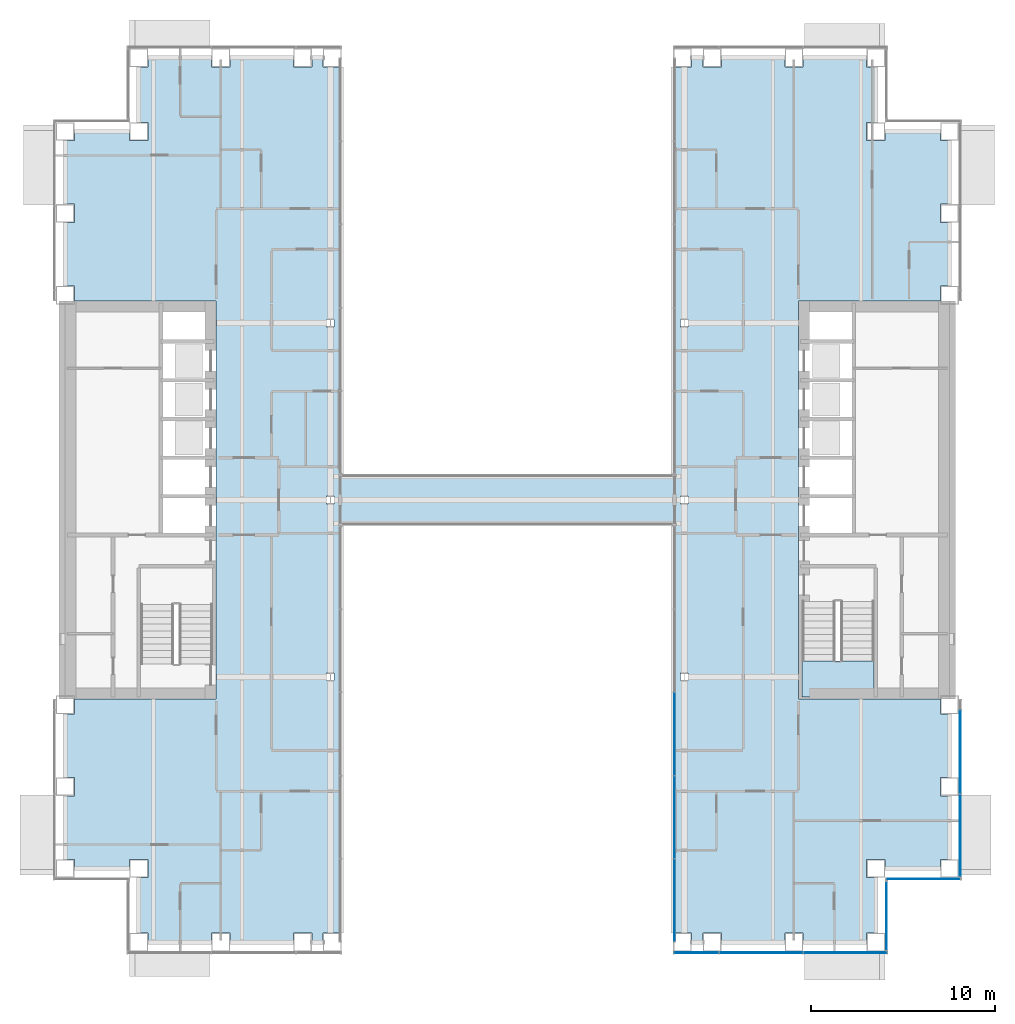
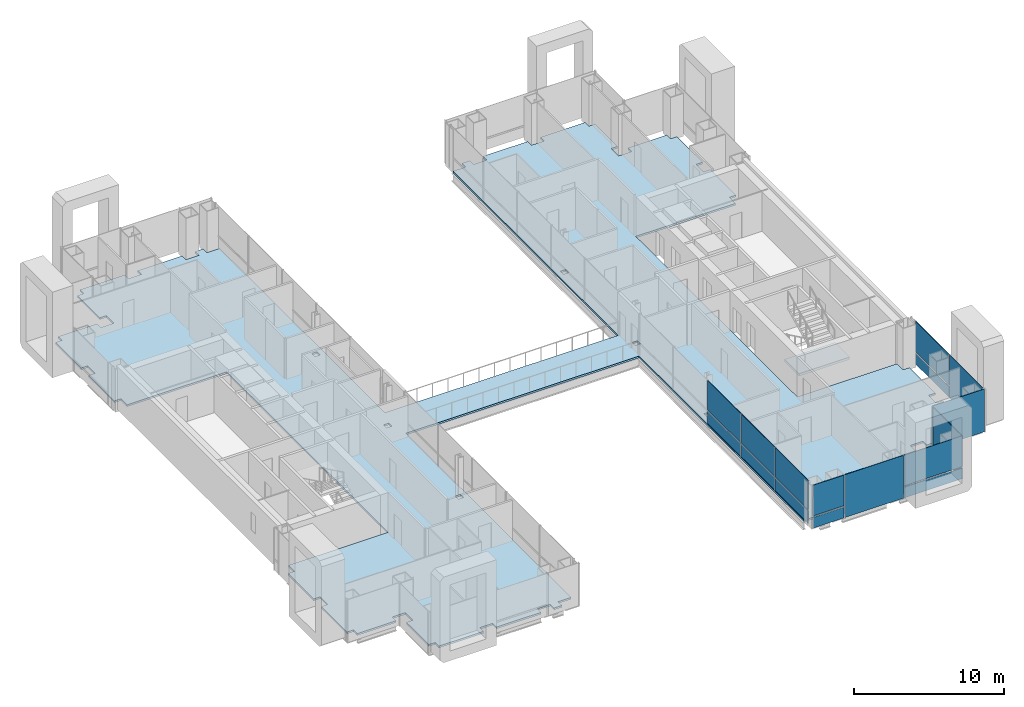
# One storey, part 10 of 21: 16 plates, 2 slabs, 6 elements without a shape of their own.
"""IFC4 building model written with IfcOpenShell, lengths in metres."""

from ifc_helpers import new_model, si_unit, direction, frame, origin, origin_2d, place, context, subcontext, project, spatial, polyline, rectangle, outline, extrude, material, layer, layer_set, type_object, element, aggregate, save


model = new_model("IFC4")

# Units and contexts
model_context = context("Model", 3, precision=1e-05, world=origin(), true_north=direction((0.0, 1.0)))
body_context = subcontext(model_context, "Body", "Model", "MODEL_VIEW")
ifc_project = project(units=[si_unit("LENGTHUNIT", "METRE"), si_unit("AREAUNIT", "SQUARE_METRE"), si_unit("VOLUMEUNIT", "CUBIC_METRE"), si_unit("PLANEANGLEUNIT", "RADIAN"), si_unit("MASSUNIT", "GRAM", prefix="KILO")], contexts=[model_context])

# Site, building, storey
site_placement = place(None, origin())
site = spatial("IfcSite", under=ifc_project, at=site_placement, CompositionType="ELEMENT")
building_placement = place(site_placement, origin())
building = spatial("IfcBuilding", under=site, at=building_placement, Name="Cobrizo Arcos Hotel Tower", CompositionType="ELEMENT")
storey_placement = place(building_placement, frame((0.0, 0.0, 74.0)))
storey = spatial("IfcBuildingStorey", under=building, at=storey_placement, Name="L17", CompositionType="ELEMENT", Elevation=74.0)

# Curtain wall, plates
ifc_material_1 = material(Name="Aluminium 6063-T6 anodised bronze", Category="aluminium")
curtain_wall_type_1 = type_object("IfcCurtainWallType", Name="CW-A guest facade", PredefinedType="NOTDEFINED", material=ifc_material_1)
curtain_wall_1_placement = place(storey_placement, origin())
curtain_wall_1 = element("IfcCurtainWall", 1, at=curtain_wall_1_placement, inside=storey, type_object=curtain_wall_type_1, Name="CW-A L17 S face", PredefinedType="NOTDEFINED")
ifc_material_2 = material(Name="Glass clear laminated low-e", Category="glass")
ifc_layer_1 = layer(ifc_material_2, 0.0400390625)
ifc_layer_set_1 = layer_set([ifc_layer_1], Name="CW-A glass panel")
plate_type_1 = type_object("IfcPlateType", Name="CW-A glass panel", PredefinedType="CURTAIN_PANEL", material=ifc_layer_set_1)
plate_1_placement = place(storey_placement, frame((10.251220703125, -24.574951171875, 0.990234375), z_axis=(0.0, 0.0, 1.0), x_axis=(1.0, 0.0, 0.0)))
plate_1 = element("IfcPlate", 2, at=plate_1_placement, type_object=plate_type_1, Name="CW-A glass panel 720", PredefinedType="CURTAIN_PANEL", context=body_context, shape_type="SweptSolid", body=[
    extrude(rectangle(XDim=2.38232421875, YDim=0.0400390625, at=origin_2d()), origin(), (0.0, 0.0, 1.0), 2.510009765625),
])
plate_2_placement = place(storey_placement, frame((18.340576171875, -24.574951171875, 0.990234375), z_axis=(0.0, 0.0, 1.0), x_axis=(1.0, 0.0, 0.0)))
plate_2 = element("IfcPlate", 3, at=plate_2_placement, type_object=plate_type_1, Name="CW-A glass panel 722", PredefinedType="CURTAIN_PANEL", context=body_context, shape_type="SweptSolid", body=[
    extrude(rectangle(XDim=4.498779296875, YDim=0.0400390625, at=origin_2d()), origin(), (0.0, 0.0, 1.0), 2.510009765625),
])

# Curtain wall, plate
curtain_wall_2_placement = place(storey_placement, origin())
curtain_wall_2 = element("IfcCurtainWall", 4, at=curtain_wall_2_placement, inside=storey, type_object=curtain_wall_type_1, Name="CW-A L17 E face", PredefinedType="NOTDEFINED")
plate_3_placement = place(storey_placement, frame((24.574951171875, -13.666748046875, 0.990234375), z_axis=(0.0, 0.0, 1.0), x_axis=(0.0, 1.0, 0.0)))
plate_3 = element("IfcPlate", 5, at=plate_3_placement, type_object=plate_type_1, Name="CW-A glass panel 726", PredefinedType="CURTAIN_PANEL", context=body_context, shape_type="SweptSolid", body=[
    extrude(rectangle(XDim=4.49560546875, YDim=0.0400390625, at=origin_2d()), origin(), (0.0, 0.0, 1.0), 2.510009765625),
])

# Plate
ifc_material_3 = material(Name="Aluminium composite panel pale metal", Category="aluminium")
ifc_layer_2 = layer(ifc_material_3, 0.0400390625)
ifc_layer_set_2 = layer_set([ifc_layer_2], Name="CW-A spandrel panel")
plate_type_2 = type_object("IfcPlateType", Name="CW-A spandrel panel", PredefinedType="CURTAIN_PANEL", material=ifc_layer_set_2)
plate_4_placement = place(storey_placement, frame((10.251220703125, -24.574951171875, 0.0), z_axis=(0.0, 0.0, 1.0), x_axis=(1.0, 0.0, 0.0)))
plate_4 = element("IfcPlate", 6, at=plate_4_placement, type_object=plate_type_2, Name="CW-A spandrel panel 720", PredefinedType="CURTAIN_PANEL", context=body_context, shape_type="SweptSolid", body=[
    extrude(rectangle(XDim=2.38232421875, YDim=0.0400390625, at=origin_2d()), origin(), (0.0, 0.0, 1.0), 0.8701171875),
])

plate_5_placement = place(storey_placement, frame((13.7666015625, -24.574951171875, 0.0), z_axis=(0.0, 0.0, 1.0), x_axis=(1.0, 0.0, 0.0)))
plate_5 = element("IfcPlate", 7, at=plate_5_placement, type_object=plate_type_2, Name="CW-A spandrel panel 721", PredefinedType="CURTAIN_PANEL", context=body_context, shape_type="SweptSolid", body=[
    extrude(rectangle(XDim=4.52880859375, YDim=0.0400390625, at=origin_2d()), origin(), (0.0, 0.0, 1.0), 3.5),
])

plate_6_placement = place(storey_placement, frame((18.340576171875, -24.574951171875, 0.0), z_axis=(0.0, 0.0, 1.0), x_axis=(1.0, 0.0, 0.0)))
plate_6 = element("IfcPlate", 8, at=plate_6_placement, type_object=plate_type_2, Name="CW-A spandrel panel 722", PredefinedType="CURTAIN_PANEL", context=body_context, shape_type="SweptSolid", body=[
    extrude(rectangle(XDim=4.498779296875, YDim=0.0400390625, at=origin_2d()), origin(), (0.0, 0.0, 1.0), 0.8701171875),
])

aggregate(curtain_wall_1, [plate_4, plate_1, plate_5, plate_6, plate_2])

# Curtain wall, plate
curtain_wall_3_placement = place(storey_placement, origin())
curtain_wall_3 = element("IfcCurtainWall", 9, at=curtain_wall_3_placement, inside=storey, type_object=curtain_wall_type_1, Name="CW-A L17 E face", PredefinedType="NOTDEFINED")
plate_7_placement = place(storey_placement, frame((20.574951171875, -22.574951171875, 0.0), z_axis=(0.0, 0.0, 1.0), x_axis=(0.0, 1.0, 0.0)))
plate_7 = element("IfcPlate", 10, at=plate_7_placement, type_object=plate_type_2, Name="CW-A spandrel panel 723", PredefinedType="CURTAIN_PANEL", context=body_context, shape_type="SweptSolid", body=[
    extrude(rectangle(XDim=3.72998046875, YDim=0.0400390625, at=origin_2d()), origin(), (0.0, 0.0, 1.0), 3.5),
])
aggregate(curtain_wall_3, [plate_7])

curtain_wall_4_placement = place(storey_placement, origin())
curtain_wall_4 = element("IfcCurtainWall", 11, at=curtain_wall_4_placement, inside=storey, type_object=curtain_wall_type_1, Name="CW-A L17 S face", PredefinedType="NOTDEFINED")
plate_8_placement = place(storey_placement, frame((22.574951171875, -20.574951171875, 0.0), z_axis=(0.0, 0.0, 1.0), x_axis=(1.0, 0.0, 0.0)))
plate_8 = element("IfcPlate", 12, at=plate_8_placement, type_object=plate_type_2, Name="CW-A spandrel panel 724", PredefinedType="CURTAIN_PANEL", context=body_context, shape_type="SweptSolid", body=[
    extrude(rectangle(XDim=4.030029296875, YDim=0.0400390625, at=origin_2d()), origin(), (0.0, 0.0, 1.0), 3.5),
])
aggregate(curtain_wall_4, [plate_8])

# Plate
plate_9_placement = place(storey_placement, frame((24.574951171875, -18.207275390625, 0.0), z_axis=(0.0, 0.0, 1.0), x_axis=(0.0, 1.0, 0.0)))
plate_9 = element("IfcPlate", 13, at=plate_9_placement, type_object=plate_type_2, Name="CW-A spandrel panel 725", PredefinedType="CURTAIN_PANEL", context=body_context, shape_type="SweptSolid", body=[
    extrude(rectangle(XDim=4.465576171875, YDim=0.0400390625, at=origin_2d()), origin(), (0.0, 0.0, 1.0), 3.5),
])

plate_10_placement = place(storey_placement, frame((24.574951171875, -13.666748046875, 0.0), z_axis=(0.0, 0.0, 1.0), x_axis=(0.0, 1.0, 0.0)))
plate_10 = element("IfcPlate", 14, at=plate_10_placement, type_object=plate_type_2, Name="CW-A spandrel panel 726", PredefinedType="CURTAIN_PANEL", context=body_context, shape_type="SweptSolid", body=[
    extrude(rectangle(XDim=4.49560546875, YDim=0.0400390625, at=origin_2d()), origin(), (0.0, 0.0, 1.0), 0.8701171875),
])

aggregate(curtain_wall_2, [plate_9, plate_10, plate_3])

# Curtain wall, plates
curtain_wall_type_2 = type_object("IfcCurtainWallType", Name="CW-F void screen", PredefinedType="NOTDEFINED", material=ifc_material_1)
curtain_wall_5_placement = place(storey_placement, origin())
curtain_wall_5 = element("IfcCurtainWall", 15, at=curtain_wall_5_placement, inside=storey, type_object=curtain_wall_type_2, Name="CW-F L17 void screen A", PredefinedType="NOTDEFINED")
ifc_layer_3 = layer(ifc_material_2, 0.0400390625)
ifc_layer_set_3 = layer_set([ifc_layer_3], Name="CW-F glass panel")
plate_type_3 = type_object("IfcPlateType", Name="CW-F glass panel", PredefinedType="CURTAIN_PANEL", material=ifc_layer_set_3)
plate_11_placement = place(storey_placement, frame((9.074951171875, -21.72509765625, 0.0), z_axis=(0.0, 0.0, 1.0), x_axis=(0.0, 1.0, 0.0)))
plate_11 = element("IfcPlate", 16, at=plate_11_placement, type_object=plate_type_3, Name="CW-F glass panel 2508", PredefinedType="CURTAIN_PANEL", context=body_context, shape_type="SweptSolid", body=[
    extrude(rectangle(XDim=4.429931640625, YDim=0.0400390625, at=origin_2d()), origin(), (0.0, 0.0, 1.0), 0.989990234375),
])
plate_12_placement = place(storey_placement, frame((9.074951171875, -21.72509765625, 1.10986328125), z_axis=(0.0, 0.0, 1.0), x_axis=(0.0, 1.0, 0.0)))
plate_12 = element("IfcPlate", 17, at=plate_12_placement, type_object=plate_type_3, Name="CW-F glass panel 2508", PredefinedType="CURTAIN_PANEL", context=body_context, shape_type="SweptSolid", body=[
    extrude(rectangle(XDim=4.429931640625, YDim=0.0400390625, at=origin_2d()), origin(), (0.0, 0.0, 1.0), 2.389892578125),
])
plate_13_placement = place(storey_placement, frame((9.074951171875, -17.219970703125, 0.0), z_axis=(0.0, 0.0, 1.0), x_axis=(0.0, 1.0, 0.0)))
plate_13 = element("IfcPlate", 18, at=plate_13_placement, type_object=plate_type_3, Name="CW-F glass panel 2509", PredefinedType="CURTAIN_PANEL", context=body_context, shape_type="SweptSolid", body=[
    extrude(rectangle(XDim=4.4599609375, YDim=0.0400390625, at=origin_2d()), origin(), (0.0, 0.0, 1.0), 0.989990234375),
])
plate_14_placement = place(storey_placement, frame((9.074951171875, -17.219970703125, 1.10986328125), z_axis=(0.0, 0.0, 1.0), x_axis=(0.0, 1.0, 0.0)))
plate_14 = element("IfcPlate", 19, at=plate_14_placement, type_object=plate_type_3, Name="CW-F glass panel 2509", PredefinedType="CURTAIN_PANEL", context=body_context, shape_type="SweptSolid", body=[
    extrude(rectangle(XDim=4.4599609375, YDim=0.0400390625, at=origin_2d()), origin(), (0.0, 0.0, 1.0), 2.389892578125),
])
plate_15_placement = place(storey_placement, frame((9.074951171875, -12.699951171875, 0.0), z_axis=(0.0, 0.0, 1.0), x_axis=(0.0, 1.0, 0.0)))
plate_15 = element("IfcPlate", 20, at=plate_15_placement, type_object=plate_type_3, Name="CW-F glass panel 2510", PredefinedType="CURTAIN_PANEL", context=body_context, shape_type="SweptSolid", body=[
    extrude(rectangle(XDim=4.4599609375, YDim=0.0400390625, at=origin_2d()), origin(), (0.0, 0.0, 1.0), 0.989990234375),
])
plate_16_placement = place(storey_placement, frame((9.074951171875, -12.699951171875, 1.10986328125), z_axis=(0.0, 0.0, 1.0), x_axis=(0.0, 1.0, 0.0)))
plate_16 = element("IfcPlate", 21, at=plate_16_placement, type_object=plate_type_3, Name="CW-F glass panel 2510", PredefinedType="CURTAIN_PANEL", context=body_context, shape_type="SweptSolid", body=[
    extrude(rectangle(XDim=4.4599609375, YDim=0.0400390625, at=origin_2d()), origin(), (0.0, 0.0, 1.0), 2.389892578125),
])
aggregate(curtain_wall_5, [plate_11, plate_12, plate_13, plate_14, plate_15, plate_16])

# Slab
ifc_material_4 = material(Name="Concrete f'c 35 MPa", Category="concrete")
ifc_layer_4 = layer(ifc_material_4, 0.14990234375)
ifc_layer_set_4 = layer_set([ifc_layer_4], Name="Composite floor slab 150 f'c 35")
slab_type_1 = type_object("IfcSlabType", Name="Composite floor slab 150 f'c 35", PredefinedType="FLOOR", material=ifc_layer_set_4)
slab_1_placement = place(storey_placement, frame((0.0, 0.0, -0.14990234375)))
element("IfcSlab", 22, at=slab_1_placement, inside=storey, type_object=slab_type_1, Name="Floor slab S5, L17, no. 01", PredefinedType="FLOOR", context=body_context, shape_type="SweptSolid", body=[
    extrude(outline(polyline([(23.5, 20.0), (23.5, 19.5), (24.0, 19.5), (24.0, 16.055908203125), (23.5, 16.055908203125), (23.5, 15.055908203125), (24.0, 15.055908203125), (24.0, 11.611083984375), (23.5, 11.611083984375), (23.5, 10.800048828125), (15.800048828125, 10.800048828125), (15.800048828125, -10.800048828125), (23.5, -10.800048828125), (23.5, -11.611083984375), (24.0, -11.611083984375), (24.0, -15.055908203125), (23.5, -15.055908203125), (23.5, -16.055908203125), (24.0, -16.055908203125), (24.0, -19.5), (23.5, -19.5), (23.5, -20.0), (20.5, -20.0), (20.5, -19.5), (19.5, -19.5), (19.5, -20.5), (20.0, -20.5), (20.0, -23.5), (19.5, -23.5), (19.5, -24.0), (16.055908203125, -24.0), (16.055908203125, -23.5), (15.055908203125, -23.5), (15.055908203125, -24.0), (11.611083984375, -24.0), (11.611083984375, -23.5), (10.611083984375, -23.5), (10.611083984375, -24.0), (10.0, -24.0), (10.0, -23.5), (9.0, -23.5), (9.0, -1.39990234375), (-9.0, -1.39990234375), (-9.0, -23.5), (-10.0, -23.5), (-10.0, -24.0), (-10.611083984375, -24.0), (-10.611083984375, -23.5), (-11.611083984375, -23.5), (-11.611083984375, -24.0), (-15.055908203125, -24.0), (-15.055908203125, -23.5), (-16.055908203125, -23.5), (-16.055908203125, -24.0), (-19.5, -24.0), (-19.5, -23.5), (-20.0, -23.5), (-20.0, -20.5), (-19.5, -20.5), (-19.5, -19.5), (-20.5, -19.5), (-20.5, -20.0), (-23.5, -20.0), (-23.5, -19.5), (-24.0, -19.5), (-24.0, -16.055908203125), (-23.5, -16.055908203125), (-23.5, -15.055908203125), (-24.0, -15.055908203125), (-24.0, -11.611083984375), (-23.5, -11.611083984375), (-23.5, -10.800048828125), (-15.800048828125, -10.800048828125), (-15.800048828125, 10.800048828125), (-23.5, 10.800048828125), (-23.5, 11.611083984375), (-24.0, 11.611083984375), (-24.0, 15.055908203125), (-23.5, 15.055908203125), (-23.5, 16.055908203125), (-24.0, 16.055908203125), (-24.0, 19.5), (-23.5, 19.5), (-23.5, 20.0), (-20.5, 20.0), (-20.5, 19.5), (-19.5, 19.5), (-19.5, 20.5), (-20.0, 20.5), (-20.0, 23.5), (-19.5, 23.5), (-19.5, 24.0), (-16.055908203125, 24.0), (-16.055908203125, 23.5), (-15.055908203125, 23.5), (-15.055908203125, 24.0), (-11.611083984375, 24.0), (-11.611083984375, 23.5), (-10.611083984375, 23.5), (-10.611083984375, 24.0), (-10.0, 24.0), (-10.0, 23.5), (-9.0, 23.5), (-9.0, 1.39990234375), (9.0, 1.39990234375), (9.0, 23.5), (10.0, 23.5), (10.0, 24.0), (10.611083984375, 24.0), (10.611083984375, 23.5), (11.611083984375, 23.5), (11.611083984375, 24.0), (15.055908203125, 24.0), (15.055908203125, 23.5), (16.055908203125, 23.5), (16.055908203125, 24.0), (19.5, 24.0), (19.5, 23.5), (20.0, 23.5), (20.0, 20.5), (19.5, 20.5), (19.5, 19.5), (20.5, 19.5), (20.5, 20.0), (23.5, 20.0)]), holes=[polyline([(-9.804443359375, -9.804443359375), (-9.3955078125, -9.804443359375), (-9.3955078125, -9.3955078125), (-9.804443359375, -9.3955078125), (-9.804443359375, -9.804443359375)]), polyline([(-9.3955078125, -0.204345703125), (-9.3955078125, 0.204345703125), (-9.804443359375, 0.204345703125), (-9.804443359375, -0.204345703125), (-9.3955078125, -0.204345703125)]), polyline([(-9.3955078125, 9.3955078125), (-9.3955078125, 9.804443359375), (-9.804443359375, 9.804443359375), (-9.804443359375, 9.3955078125), (-9.3955078125, 9.3955078125)]), polyline([(9.3955078125, -9.804443359375), (9.804443359375, -9.804443359375), (9.804443359375, -9.3955078125), (9.3955078125, -9.3955078125), (9.3955078125, -9.804443359375)]), polyline([(9.3955078125, -0.204345703125), (9.804443359375, -0.204345703125), (9.804443359375, 0.204345703125), (9.3955078125, 0.204345703125), (9.3955078125, -0.204345703125)]), polyline([(9.804443359375, 9.3955078125), (9.804443359375, 9.804443359375), (9.3955078125, 9.804443359375), (9.3955078125, 9.3955078125), (9.804443359375, 9.3955078125)])]), origin(), (0.0, 0.0, 1.0), 0.14990234375),
])

# Stair, slab
ifc_material_5 = material(Name="Concrete f'c 40 MPa", Category="concrete")
stair_type = type_object("IfcStairType", Name="Exit stair", PredefinedType="HALF_TURN_STAIR", material=ifc_material_5)
stair_placement = place(storey_placement, origin())
stair = element("IfcStair", 23, at=stair_placement, inside=storey, type_object=stair_type, Name="L17 Exit stair ST-E", PredefinedType="HALF_TURN_STAIR")
ifc_layer_5 = layer(ifc_material_5, 0.199951171875)
ifc_layer_set_5 = layer_set([ifc_layer_5], Name="Stair landing")
slab_type_2 = type_object("IfcSlabType", Name="Stair landing", PredefinedType="LANDING", material=ifc_layer_set_5)
slab_2_placement = place(storey_placement, frame((0.0, 0.0, 1.550048828125)))
slab_2 = element("IfcSlab", 24, at=slab_2_placement, type_object=slab_type_2, Name="ST-E landing 1", PredefinedType="LANDING", context=body_context, shape_type="SweptSolid", body=[
    extrude(outline(polyline([(16.0, -8.739990234375), (16.0, -10.699951171875), (19.89990234375, -10.699951171875), (19.89990234375, -8.739990234375), (16.0, -8.739990234375)])), origin(), (0.0, 0.0, 1.0), 0.199951171875),
])
aggregate(stair, [slab_2])

save(model, "model.ifc")
